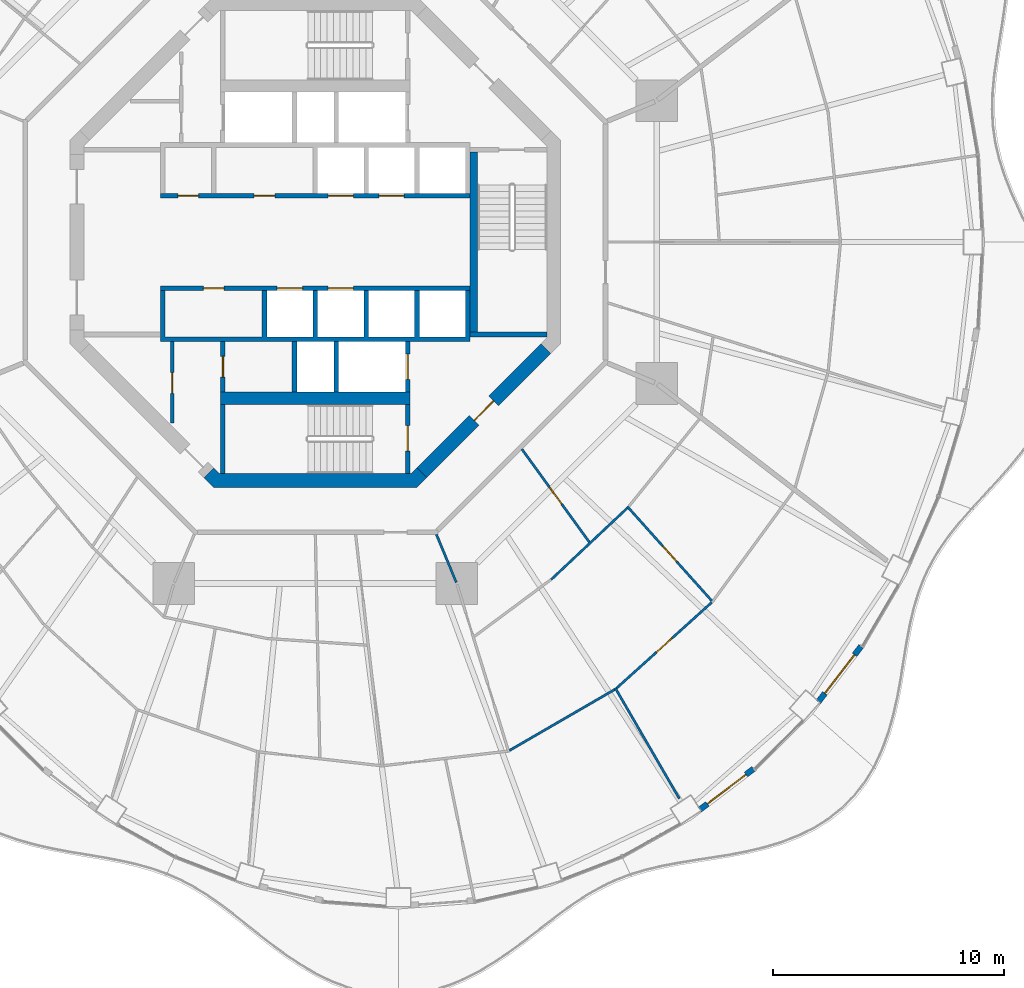
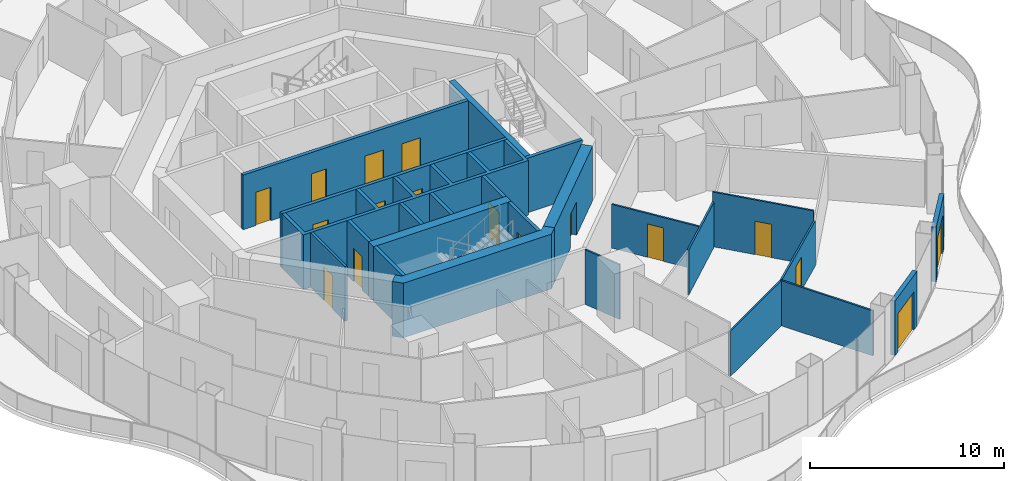
# One storey, part 12 of 19: 24 walls, 17 doors, 17 openings.
"""IFC4 building model written with IfcOpenShell, lengths in metres."""

from ifc_helpers import new_model, si_unit, direction, frame, frame_2d, origin, place, context, subcontext, project, spatial, polyline, rectangle, outline, extrude, material, layer, layer_set, type_object, element, fill, save


model = new_model("IFC4")

# Units and contexts
model_context = context("Model", 3, precision=1e-05, world=origin(), true_north=direction((0.0, 1.0)))
body_context = subcontext(model_context, "Body", "Model", "MODEL_VIEW")
ifc_project = project(units=[si_unit("LENGTHUNIT", "METRE"), si_unit("AREAUNIT", "SQUARE_METRE"), si_unit("VOLUMEUNIT", "CUBIC_METRE"), si_unit("PLANEANGLEUNIT", "RADIAN"), si_unit("MASSUNIT", "GRAM", prefix="KILO")], contexts=[model_context])

# Site, building, storey
site_placement = place(None, origin())
site = spatial("IfcSite", under=ifc_project, at=site_placement, CompositionType="ELEMENT")
building_placement = place(site_placement, origin())
building = spatial("IfcBuilding", under=site, at=building_placement, Name="Nagisa Residences", CompositionType="ELEMENT")
storey_placement = place(building_placement, frame((0.0, 0.0, 177.0)))
storey = spatial("IfcBuildingStorey", under=building, at=storey_placement, Name="L44", CompositionType="ELEMENT", Elevation=177.0)

# Walls
ifc_material_1 = material(Name="Gypsum board on steel studs", Category="steel")
ifc_layer_1 = layer(ifc_material_1, 0.10009765625)
ifc_layer_set_1 = layer_set([ifc_layer_1], Name="Apartment partition 100")
wall_type_1 = type_object("IfcWallType", Name="Apartment partition 100", PredefinedType="PARTITIONING", material=ifc_layer_set_1)
wall_1_placement = place(storey_placement, frame((5.24267578125, -12.6572265625, 0.0), z_axis=(0.0, 0.0, 1.0), x_axis=(0.382719158442, -0.923864733477, 0.0)))
element("IfcWall", 1, at=wall_1_placement, inside=storey, type_object=wall_type_1, Name="wall:L44:u77", PredefinedType="PARTITIONING", context=body_context, shape_type="SweptSolid", body=[
    extrude(rectangle(XDim=2.25, YDim=0.10009765625, at=frame_2d((1.125, 0.0))), origin(), (0.0, 0.0, 1.0), 3.43994140625),
])
wall_2_placement = place(storey_placement, frame((8.405029296875, -22.01318359375, 0.0), z_axis=(0.0, 0.0, 1.0), x_axis=(0.865277177388, 0.501293732547, 0.0)))
element("IfcWall", 2, at=wall_2_placement, inside=storey, type_object=wall_type_1, Name="wall:L44:u80", PredefinedType="PARTITIONING", context=body_context, shape_type="SweptSolid", body=[
    extrude(rectangle(XDim=5.27001953125, YDim=0.10009765625, at=frame_2d((2.635009765625, 0.0))), origin(), (0.0, 0.0, 1.0), 2.8369140625),
])
wall_3_placement = place(storey_placement, frame((10.21044921875, -14.614013671875, 0.0), z_axis=(0.0, 0.0, 1.0), x_axis=(0.728883199496, 0.684638066055, 0.0)))
element("IfcWall", 3, at=wall_3_placement, inside=storey, type_object=wall_type_1, Name="wall:L44:u81", PredefinedType="PARTITIONING", context=body_context, shape_type="SweptSolid", body=[
    extrude(rectangle(XDim=4.519287109375, YDim=0.10009765625, at=frame_2d((2.259765625, 0.0))), origin(), (0.0, 0.0, 1.0), 2.8369140625),
])
wall_4_placement = place(storey_placement, frame((12.983154296875, -19.302978515625, 0.0), z_axis=(0.0, 0.0, 1.0), x_axis=(0.501315846071, -0.865264365659, 0.0)))
element("IfcWall", 4, at=wall_4_placement, inside=storey, type_object=wall_type_1, Name="wall:L44:u82", PredefinedType="PARTITIONING", context=body_context, shape_type="SweptSolid", body=[
    extrude(rectangle(XDim=5.54150390625, YDim=0.10009765625, at=frame_2d((2.770751953125, 0.0))), origin(), (0.0, 0.0, 1.0), 2.8369140625),
])

# Wall, opening, door
wall_5_placement = place(storey_placement, frame((13.04541015625, -19.312744140625, 0.0), z_axis=(0.0, 0.0, 1.0), x_axis=(0.742790086539, 0.66952437397, 0.0)))
wall_5 = element("IfcWall", 5, at=wall_5_placement, inside=storey, type_object=wall_type_1, Name="wall:L44:u83", PredefinedType="PARTITIONING", context=body_context, shape_type="SweptSolid", body=[
    extrude(rectangle(XDim=5.54150390625, YDim=0.10009765625, at=frame_2d((2.770751953125, 0.0))), origin(), (0.0, 0.0, 1.0), 2.8369140625),
])
opening_1_placement = place(wall_5_placement, frame((2.32080078125, 0.0, 0.0)))
opening_1 = element("IfcOpeningElement", 6, at=opening_1_placement, cuts=wall_5, Name="Opening L44-U26", PredefinedType="OPENING", context=body_context, shape_type="SweptSolid", body=[
    extrude(rectangle(XDim=0.89990234375, YDim=2.10009765625, at=frame_2d((0.449951171875, 1.050048828125))), frame((0.0, 0.06005859375, 0.0), z_axis=(0.0, -1.0, 0.0), x_axis=(1.0, 0.0, 0.0)), (0.0, 0.0, 1.0), 0.1201171875),
])
ifc_material_2 = material(Name="Timber door set", Category="wood")
door_type_1 = type_object("IfcDoorType", Name="Apartment door 900x2100", OperationType="NOTDEFINED", PredefinedType="DOOR", material=ifc_material_2)
door_1_placement = place(opening_1_placement, frame((0.89990234375, 0.0, 0.0), x_axis=(-1.0, 0.0, 0.0)))
door_1 = element("IfcDoor", 7, at=door_1_placement, inside=storey, type_object=door_type_1, Name="Door to family room, Apartment 44B", OperationType="SINGLE_SWING_LEFT", OverallHeight=2.10009765625, OverallWidth=0.89990234375, PredefinedType="DOOR", context=body_context, shape_type="SweptSolid", body=[
    extrude(rectangle(XDim=0.89990234375, YDim=2.10009765625, at=frame_2d((0.449951171875, 1.050048828125))), frame((0.0, 0.02490234375, 0.0), z_axis=(0.0, -1.0, 0.0), x_axis=(1.0, 0.0, 0.0)), (0.0, 0.0, 1.0), 0.050048828125),
])
fill(opening_1, door_1)

wall_6_placement = place(storey_placement, frame((8.943359375, -8.965576171875, 0.0), z_axis=(0.0, 0.0, 1.0), x_axis=(0.587187896734, -0.809450661825, 0.0)))
wall_6 = element("IfcWall", 8, at=wall_6_placement, inside=storey, type_object=wall_type_1, Name="wall:L44:u84", PredefinedType="PARTITIONING", context=body_context, shape_type="SweptSolid", body=[
    extrude(rectangle(XDim=4.974853515625, YDim=0.10009765625, at=frame_2d((2.4873046875, 0.0))), origin(), (0.0, 0.0, 1.0), 2.756103515625),
])
opening_2_placement = place(wall_6_placement, frame((2.037353515625, 0.0, 0.0)))
opening_2 = element("IfcOpeningElement", 9, at=opening_2_placement, cuts=wall_6, Name="Opening L44-U20", PredefinedType="OPENING", context=body_context, shape_type="SweptSolid", body=[
    extrude(rectangle(XDim=0.89990234375, YDim=2.10009765625, at=frame_2d((0.449951171875, 1.050048828125))), frame((0.0, 0.06005859375, 0.0), z_axis=(0.0, -1.0, 0.0), x_axis=(1.0, 0.0, 0.0)), (0.0, 0.0, 1.0), 0.1201171875),
])
door_2_placement = place(opening_2_placement, origin())
door_2 = element("IfcDoor", 10, at=door_2_placement, inside=storey, type_object=door_type_1, Name="Door to store, Apartment 44B", OperationType="SINGLE_SWING_RIGHT", OverallHeight=2.10009765625, OverallWidth=0.89990234375, PredefinedType="DOOR", context=body_context, shape_type="SweptSolid", body=[
    extrude(rectangle(XDim=0.89990234375, YDim=2.10009765625, at=frame_2d((0.449951171875, 1.050048828125))), frame((0.0, 0.02490234375, 0.0), z_axis=(0.0, -1.0, 0.0), x_axis=(1.0, 0.0, 0.0)), (0.0, 0.0, 1.0), 0.050048828125),
])
fill(opening_2, door_2)

wall_7_placement = place(storey_placement, frame((13.50732421875, -11.44873046875, 0.0), z_axis=(0.0, 0.0, 1.0), x_axis=(0.667299792168, -0.744789223453, 0.0)))
wall_7 = element("IfcWall", 11, at=wall_7_placement, inside=storey, type_object=wall_type_1, Name="wall:L44:u85", PredefinedType="PARTITIONING", context=body_context, shape_type="SweptSolid", body=[
    extrude(rectangle(XDim=5.482177734375, YDim=0.10009765625, at=frame_2d((2.7412109375, 0.0))), origin(), (0.0, 0.0, 1.0), 3.43994140625),
])
opening_3_placement = place(wall_7_placement, frame((2.316162109375, 0.0, 0.0)))
opening_3 = element("IfcOpeningElement", 12, at=opening_3_placement, cuts=wall_7, Name="Opening L44-U23", PredefinedType="OPENING", context=body_context, shape_type="SweptSolid", body=[
    extrude(rectangle(XDim=0.89990234375, YDim=2.10009765625, at=frame_2d((0.449951171875, 1.050048828125))), frame((0.0, 0.06005859375, 0.0), z_axis=(0.0, -1.0, 0.0), x_axis=(1.0, 0.0, 0.0)), (0.0, 0.0, 1.0), 0.1201171875),
])
door_3_placement = place(opening_3_placement, origin())
door_3 = element("IfcDoor", 13, at=door_3_placement, inside=storey, type_object=door_type_1, Name="Door to kitchen, Apartment 44B", OperationType="SINGLE_SWING_LEFT", OverallHeight=2.10009765625, OverallWidth=0.89990234375, PredefinedType="DOOR", context=body_context, shape_type="SweptSolid", body=[
    extrude(rectangle(XDim=0.89990234375, YDim=2.10009765625, at=frame_2d((0.449951171875, 1.050048828125))), frame((0.0, 0.02490234375, 0.0), z_axis=(0.0, -1.0, 0.0), x_axis=(1.0, 0.0, 0.0)), (0.0, 0.0, 1.0), 0.050048828125),
])
fill(opening_3, door_3)

ifc_material_3 = material(Name="Precast concrete C40/50", Category="concrete")
ifc_layer_2 = layer(ifc_material_3, 0.25)
ifc_layer_set_2 = layer_set([ifc_layer_2], Name="BALCONY DOOR WALL 250")
wall_type_2 = type_object("IfcWallType", Name="BALCONY DOOR WALL 250", PredefinedType="SOLIDWALL", material=ifc_layer_set_2)
wall_8_placement = place(storey_placement, frame((18.9716796875, -22.80859375, 0.0), z_axis=(0.0, 0.0, 1.0), x_axis=(-0.796055733703, -0.60522332146, 0.0)))
wall_8 = element("IfcWall", 14, at=wall_8_placement, inside=storey, type_object=wall_type_2, Name="wall:L44:bay40", PredefinedType="SOLIDWALL", context=body_context, shape_type="SweptSolid", body=[
    extrude(rectangle(XDim=2.9169921875, YDim=0.25, at=frame_2d((1.45849609375, 0.0))), origin(), (0.0, 0.0, 1.0), 3.43994140625),
])
opening_4_placement = place(wall_8_placement, frame((0.408447265625, 0.0, 0.0)))
opening_4 = element("IfcOpeningElement", 15, at=opening_4_placement, cuts=wall_8, Name="Opening BD-L44-14", PredefinedType="OPENING", context=body_context, shape_type="SweptSolid", body=[
    extrude(rectangle(XDim=2.10009765625, YDim=2.39990234375, at=frame_2d((1.050048828125, 1.199951171875))), frame((0.0, 0.135009765625, 0.0), z_axis=(0.0, -1.0, 0.0), x_axis=(1.0, 0.0, 0.0)), (0.0, 0.0, 1.0), 0.27001953125),
])
ifc_material_4 = material(Name="Aluminium and clear glass", Category="aluminium")
door_type_2 = type_object("IfcDoorType", Name="BALCONY SLIDING DOOR 2100x2400", OperationType="SLIDING_TO_LEFT", PredefinedType="DOOR", material=ifc_material_4)
door_4_placement = place(opening_4_placement, origin())
door_4 = element("IfcDoor", 16, at=door_4_placement, inside=storey, type_object=door_type_2, Name="door:L44:bay40", OperationType="SLIDING_TO_LEFT", OverallHeight=2.39990234375, OverallWidth=2.10009765625, PredefinedType="DOOR", context=body_context, shape_type="SweptSolid", body=[
    extrude(rectangle(XDim=2.10009765625, YDim=2.39990234375, at=frame_2d((1.050048828125, 1.199951171875))), frame((0.0, 0.02490234375, 0.0), z_axis=(0.0, -1.0, 0.0), x_axis=(1.0, 0.0, 0.0)), (0.0, 0.0, 1.0), 0.050048828125),
])
fill(opening_4, door_4)

wall_9_placement = place(storey_placement, frame((23.63232421875, -17.501708984375, 0.0), z_axis=(0.0, 0.0, 1.0), x_axis=(-0.610437428894, -0.79206448311, 0.0)))
wall_9 = element("IfcWall", 17, at=wall_9_placement, inside=storey, type_object=wall_type_2, Name="wall:L44:bay42", PredefinedType="SOLIDWALL", context=body_context, shape_type="SweptSolid", body=[
    extrude(rectangle(XDim=3.03515625, YDim=0.25, at=frame_2d((1.517578125, 0.0))), origin(), (0.0, 0.0, 1.0), 3.43994140625),
])
opening_5_placement = place(wall_9_placement, frame((0.467529296875, 0.0, 0.0)))
opening_5 = element("IfcOpeningElement", 18, at=opening_5_placement, cuts=wall_9, Name="Opening BD-L44-15", PredefinedType="OPENING", context=body_context, shape_type="SweptSolid", body=[
    extrude(rectangle(XDim=2.10009765625, YDim=2.39990234375, at=frame_2d((1.050048828125, 1.199951171875))), frame((0.0, 0.135009765625, 0.0), z_axis=(0.0, -1.0, 0.0), x_axis=(1.0, 0.0, 0.0)), (0.0, 0.0, 1.0), 0.27001953125),
])
door_5_placement = place(opening_5_placement, origin())
door_5 = element("IfcDoor", 19, at=door_5_placement, inside=storey, type_object=door_type_2, Name="door:L44:bay42", OperationType="SLIDING_TO_LEFT", OverallHeight=2.39990234375, OverallWidth=2.10009765625, PredefinedType="DOOR", context=body_context, shape_type="SweptSolid", body=[
    extrude(rectangle(XDim=2.10009765625, YDim=2.39990234375, at=frame_2d((1.050048828125, 1.199951171875))), frame((0.0, 0.02490234375, 0.0), z_axis=(0.0, -1.0, 0.0), x_axis=(1.0, 0.0, 0.0)), (0.0, 0.0, 1.0), 0.050048828125),
])
fill(opening_5, door_5)

ifc_material_5 = material(Name="Gypsum board on steel studs", Category="steel")
ifc_layer_3 = layer(ifc_material_5, 0.14990234375)
ifc_layer_set_3 = layer_set([ifc_layer_3], Name="Core partition 150")
wall_type_3 = type_object("IfcWallType", Name="Core partition 150", PredefinedType="PARTITIONING", material=ifc_layer_set_3)
wall_10_placement = place(storey_placement, frame((-6.199951171875, -7.826904296875, 0.0), z_axis=(0.0, 0.0, 1.0), x_axis=(0.0, 1.0, 0.0)))
wall_10 = element("IfcWall", 20, at=wall_10_placement, inside=storey, type_object=wall_type_3, Name="wall:L44:SWp", PredefinedType="PARTITIONING", context=body_context, shape_type="SweptSolid", body=[
    extrude(rectangle(XDim=3.52685546875, YDim=0.14990234375, at=frame_2d((1.763427734375, 0.0))), origin(), (0.0, 0.0, 1.0), 3.43994140625),
])
opening_6_placement = place(wall_10_placement, frame((1.27587890625, 0.0, 0.0)))
opening_6 = element("IfcOpeningElement", 21, at=opening_6_placement, cuts=wall_10, Name="Opening L44-C13", PredefinedType="OPENING", context=body_context, shape_type="SweptSolid", body=[
    extrude(rectangle(XDim=0.89990234375, YDim=2.10009765625, at=frame_2d((0.449951171875, 1.050048828125))), frame((0.0, 0.0849609375, 0.0), z_axis=(0.0, -1.0, 0.0), x_axis=(1.0, 0.0, 0.0)), (0.0, 0.0, 1.0), 0.169921875),
])
ifc_material_6 = material(Name="Steel fire door", Category="steel")
door_type_3 = type_object("IfcDoorType", Name="Fire door EI30 900x2100 single swing", OperationType="NOTDEFINED", PredefinedType="DOOR", material=ifc_material_6)
door_6_placement = place(opening_6_placement, origin())
door_6 = element("IfcDoor", 22, at=door_6_placement, inside=storey, type_object=door_type_3, Name="Telecom room door L44", OperationType="SINGLE_SWING_LEFT", OverallHeight=2.10009765625, OverallWidth=0.89990234375, PredefinedType="DOOR", context=body_context, shape_type="SweptSolid", body=[
    extrude(rectangle(XDim=0.89990234375, YDim=2.10009765625, at=frame_2d((0.449951171875, 1.050048828125))), frame((0.0, 0.02490234375, 0.0), z_axis=(0.0, -1.0, 0.0), x_axis=(1.0, 0.0, 0.0)), (0.0, 0.0, 1.0), 0.050048828125),
])
fill(opening_6, door_6)

ifc_material_7 = material(Name="Concrete C60", Category="concrete")
ifc_layer_4 = layer(ifc_material_7, 0.60009765625)
ifc_layer_set_4 = layer_set([ifc_layer_4], Name="Core shear wall 600")
wall_type_4 = type_object("IfcWallType", Name="Core shear wall 600", PredefinedType="SHEAR", material=ifc_layer_set_4)
wall_11_placement = place(storey_placement, frame((4.613037109375, -9.98828125, 0.0), z_axis=(0.0, 0.0, 1.0), x_axis=(0.707106781187, 0.707106781187, 0.0)))
wall_11 = element("IfcWall", 23, at=wall_11_placement, inside=storey, type_object=wall_type_4, Name="wall:L44:core:flat7", PredefinedType="SHEAR", context=body_context, shape_type="SweptSolid", body=[
    extrude(rectangle(XDim=7.601806640625, YDim=0.60009765625, at=frame_2d((3.80078125, 0.0))), origin(), (0.0, 0.0, 1.0), 3.43994140625),
])
opening_7_placement = place(wall_11_placement, frame((3.200927734375, 0.0, 0.0)))
opening_7 = element("IfcOpeningElement", 24, at=opening_7_placement, cuts=wall_11, Name="Opening L44-C19", PredefinedType="OPENING", context=body_context, shape_type="SweptSolid", body=[
    extrude(rectangle(XDim=1.199951171875, YDim=2.10009765625, at=frame_2d((0.60009765625, 1.050048828125))), frame((0.0, 0.31005859375, 0.0), z_axis=(0.0, -1.0, 0.0), x_axis=(1.0, 0.0, 0.0)), (0.0, 0.0, 1.0), 0.6201171875),
])
ifc_material_8 = material(Name="Steel fire door", Category="steel")
door_type_4 = type_object("IfcDoorType", Name="Fire door EI60 1200x2100 single swing", OperationType="NOTDEFINED", PredefinedType="DOOR", material=ifc_material_8)
door_7_placement = place(opening_7_placement, origin())
door_7 = element("IfcDoor", 25, at=door_7_placement, inside=storey, type_object=door_type_4, Name="Firefighting lobby 2 door L44", OperationType="SINGLE_SWING_LEFT", OverallHeight=2.10009765625, OverallWidth=1.199951171875, PredefinedType="DOOR", context=body_context, shape_type="SweptSolid", body=[
    extrude(rectangle(XDim=1.199951171875, YDim=2.10009765625, at=frame_2d((0.60009765625, 1.050048828125))), frame((0.0, 0.02490234375, 0.0), z_axis=(0.0, -1.0, 0.0), x_axis=(1.0, 0.0, 0.0)), (0.0, 0.0, 1.0), 0.050048828125),
])
fill(opening_7, door_7)

# Wall
wall_12_placement = place(storey_placement, origin())
element("IfcWall", 26, at=wall_12_placement, inside=storey, type_object=wall_type_4, Name="wall:L44:core:flat6", PredefinedType="SHEAR", context=body_context, shape_type="SweptSolid", body=[
    extrude(outline(polyline([(-4.15234375, -10.024658203125), (4.15234375, -10.024658203125), (4.40087890625, -9.776123046875), (4.8251953125, -10.200439453125), (4.40087890625, -10.62451171875), (-4.40087890625, -10.62451171875), (-4.8251953125, -10.200439453125), (-4.40087890625, -9.776123046875), (-4.15234375, -10.024658203125)])), origin(), (0.0, 0.0, 1.0), 3.43994140625),
])

# Wall, openings, doors
ifc_material_9 = material(Name="Concrete C60", Category="concrete")
ifc_layer_5 = layer(ifc_material_9, 0.199951171875)
ifc_layer_set_5 = layer_set([ifc_layer_5], Name="Lift shaft wall 200")
wall_type_5 = type_object("IfcWallType", Name="Lift shaft wall 200", PredefinedType="SOLIDWALL", material=ifc_layer_set_5)
wall_13_placement = place(storey_placement, frame((-6.699951171875, 2.0, 0.0), z_axis=(0.0, 0.0, 1.0), x_axis=(1.0, 0.0, 0.0)))
wall_13 = element("IfcWall", 27, at=wall_13_placement, inside=storey, type_object=wall_type_5, Name="wall:L44:Nfront", PredefinedType="SOLIDWALL", context=body_context, shape_type="SweptSolid", body=[
    extrude(rectangle(XDim=13.39990234375, YDim=0.199951171875, at=frame_2d((6.699951171875, 0.0))), origin(), (0.0, 0.0, 1.0), 3.43994140625),
])
opening_8_placement = place(wall_13_placement, frame((7.25, 0.0, 0.0)))
opening_8 = element("IfcOpeningElement", 28, at=opening_8_placement, cuts=wall_13, Name="Opening L44-C01", PredefinedType="OPENING", context=body_context, shape_type="SweptSolid", body=[
    extrude(rectangle(XDim=1.10009765625, YDim=2.10009765625, at=frame_2d((0.550048828125, 1.050048828125))), frame((0.0, 0.10986328125, 0.0), z_axis=(0.0, -1.0, 0.0), x_axis=(1.0, 0.0, 0.0)), (0.0, 0.0, 1.0), 0.219970703125),
])
opening_9_placement = place(wall_13_placement, frame((9.449951171875, 0.0, 0.0)))
opening_9 = element("IfcOpeningElement", 29, at=opening_9_placement, cuts=wall_13, Name="Opening L44-C02", PredefinedType="OPENING", context=body_context, shape_type="SweptSolid", body=[
    extrude(rectangle(XDim=1.10009765625, YDim=2.10009765625, at=frame_2d((0.550048828125, 1.050048828125))), frame((0.0, 0.10986328125, 0.0), z_axis=(0.0, -1.0, 0.0), x_axis=(1.0, 0.0, 0.0)), (0.0, 0.0, 1.0), 0.219970703125),
])
opening_10_placement = place(wall_13_placement, frame((0.75, 0.0, 0.0)))
opening_10 = element("IfcOpeningElement", 30, at=opening_10_placement, cuts=wall_13, Name="Opening L44-C15", PredefinedType="OPENING", context=body_context, shape_type="SweptSolid", body=[
    extrude(rectangle(XDim=0.89990234375, YDim=2.10009765625, at=frame_2d((0.449951171875, 1.050048828125))), frame((0.0, 0.10986328125, 0.0), z_axis=(0.0, -1.0, 0.0), x_axis=(1.0, 0.0, 0.0)), (0.0, 0.0, 1.0), 0.219970703125),
])
opening_11_placement = place(wall_13_placement, frame((4.050048828125, 0.0, 0.0)))
opening_11 = element("IfcOpeningElement", 31, at=opening_11_placement, cuts=wall_13, Name="Opening L44-C16", PredefinedType="OPENING", context=body_context, shape_type="SweptSolid", body=[
    extrude(rectangle(XDim=0.89990234375, YDim=2.10009765625, at=frame_2d((0.449951171875, 1.050048828125))), frame((0.0, 0.10986328125, 0.0), z_axis=(0.0, -1.0, 0.0), x_axis=(1.0, 0.0, 0.0)), (0.0, 0.0, 1.0), 0.219970703125),
])
door_8_placement = place(opening_10_placement, origin())
door_8 = element("IfcDoor", 32, at=door_8_placement, inside=storey, type_object=door_type_3, Name="Stationery store door L44", OperationType="SINGLE_SWING_RIGHT", OverallHeight=2.10009765625, OverallWidth=0.89990234375, PredefinedType="DOOR", context=body_context, shape_type="SweptSolid", body=[
    extrude(rectangle(XDim=0.89990234375, YDim=2.10009765625, at=frame_2d((0.449951171875, 1.050048828125))), frame((0.0, 0.02490234375, 0.0), z_axis=(0.0, -1.0, 0.0), x_axis=(1.0, 0.0, 0.0)), (0.0, 0.0, 1.0), 0.050048828125),
])
fill(opening_10, door_8)
door_9_placement = place(opening_11_placement, origin())
door_9 = element("IfcDoor", 33, at=door_9_placement, inside=storey, type_object=door_type_3, Name="Wine store door L44", OperationType="SINGLE_SWING_RIGHT", OverallHeight=2.10009765625, OverallWidth=0.89990234375, PredefinedType="DOOR", context=body_context, shape_type="SweptSolid", body=[
    extrude(rectangle(XDim=0.89990234375, YDim=2.10009765625, at=frame_2d((0.449951171875, 1.050048828125))), frame((0.0, 0.02490234375, 0.0), z_axis=(0.0, -1.0, 0.0), x_axis=(1.0, 0.0, 0.0)), (0.0, 0.0, 1.0), 0.050048828125),
])
fill(opening_11, door_9)
ifc_material_10 = material(Name="Stainless steel", Category="steel")
door_type_5 = type_object("IfcDoorType", Name="Lift landing door 1100x2100", OperationType="DOUBLE_DOOR_SLIDING", PredefinedType="DOOR", material=ifc_material_10)
door_10_placement = place(opening_8_placement, origin())
door_10 = element("IfcDoor", 34, at=door_10_placement, inside=storey, type_object=door_type_5, Name="Landing door B1 L44", OperationType="DOUBLE_DOOR_SLIDING", OverallHeight=2.10009765625, OverallWidth=1.10009765625, PredefinedType="DOOR", context=body_context, shape_type="SweptSolid", body=[
    extrude(rectangle(XDim=1.10009765625, YDim=2.10009765625, at=frame_2d((0.550048828125, 1.050048828125))), frame((0.0, 0.02490234375, 0.0), z_axis=(0.0, -1.0, 0.0), x_axis=(1.0, 0.0, 0.0)), (0.0, 0.0, 1.0), 0.050048828125),
])
fill(opening_8, door_10)
door_11_placement = place(opening_9_placement, origin())
door_11 = element("IfcDoor", 35, at=door_11_placement, inside=storey, type_object=door_type_5, Name="Landing door B2 L44", OperationType="DOUBLE_DOOR_SLIDING", OverallHeight=2.10009765625, OverallWidth=1.10009765625, PredefinedType="DOOR", context=body_context, shape_type="SweptSolid", body=[
    extrude(rectangle(XDim=1.10009765625, YDim=2.10009765625, at=frame_2d((0.550048828125, 1.050048828125))), frame((0.0, 0.02490234375, 0.0), z_axis=(0.0, -1.0, 0.0), x_axis=(1.0, 0.0, 0.0)), (0.0, 0.0, 1.0), 0.050048828125),
])
fill(opening_9, door_11)

# Wall, opening, door
wall_14_placement = place(storey_placement, frame((4.0, -6.5, 0.0), z_axis=(0.0, 0.0, 1.0), x_axis=(0.0, 1.0, 0.0)))
wall_14 = element("IfcWall", 36, at=wall_14_placement, inside=storey, type_object=wall_type_5, Name="wall:L44:Sb3", PredefinedType="SOLIDWALL", context=body_context, shape_type="SweptSolid", body=[
    extrude(rectangle(XDim=2.199951171875, YDim=0.199951171875, at=frame_2d((1.10009765625, 0.0))), origin(), (0.0, 0.0, 1.0), 3.43994140625),
])
opening_12_placement = place(wall_14_placement, frame((0.550048828125, 0.0, 0.0)))
opening_12 = element("IfcOpeningElement", 37, at=opening_12_placement, cuts=wall_14, Name="Opening L44-C06", PredefinedType="OPENING", context=body_context, shape_type="SweptSolid", body=[
    extrude(rectangle(XDim=1.10009765625, YDim=2.10009765625, at=frame_2d((0.550048828125, 1.050048828125))), frame((0.0, 0.10986328125, 0.0), z_axis=(0.0, -1.0, 0.0), x_axis=(1.0, 0.0, 0.0)), (0.0, 0.0, 1.0), 0.219970703125),
])
door_12_placement = place(opening_12_placement, origin())
door_12 = element("IfcDoor", 38, at=door_12_placement, inside=storey, type_object=door_type_5, Name="Landing door FL2 L44", OperationType="DOUBLE_DOOR_SLIDING", OverallHeight=2.10009765625, OverallWidth=1.10009765625, PredefinedType="DOOR", context=body_context, shape_type="SweptSolid", body=[
    extrude(rectangle(XDim=1.10009765625, YDim=2.10009765625, at=frame_2d((0.550048828125, 1.050048828125))), frame((0.0, 0.02490234375, 0.0), z_axis=(0.0, -1.0, 0.0), x_axis=(1.0, 0.0, 0.0)), (0.0, 0.0, 1.0), 0.050048828125),
])
fill(opening_12, door_12)

wall_15_placement = place(storey_placement, frame((-4.0, -6.5, 0.0), z_axis=(0.0, 0.0, 1.0), x_axis=(0.0, 1.0, 0.0)))
wall_15 = element("IfcWall", 39, at=wall_15_placement, inside=storey, type_object=wall_type_5, Name="wall:L44:Sb4", PredefinedType="SOLIDWALL", context=body_context, shape_type="SweptSolid", body=[
    extrude(rectangle(XDim=2.199951171875, YDim=0.199951171875, at=frame_2d((1.10009765625, 0.0))), origin(), (0.0, 0.0, 1.0), 3.43994140625),
])
opening_13_placement = place(wall_15_placement, frame((0.64990234375, 0.0, 0.0)))
opening_13 = element("IfcOpeningElement", 40, at=opening_13_placement, cuts=wall_15, Name="Opening L44-C14", PredefinedType="OPENING", context=body_context, shape_type="SweptSolid", body=[
    extrude(rectangle(XDim=0.89990234375, YDim=2.10009765625, at=frame_2d((0.449951171875, 1.050048828125))), frame((0.0, 0.10986328125, 0.0), z_axis=(0.0, -1.0, 0.0), x_axis=(1.0, 0.0, 0.0)), (0.0, 0.0, 1.0), 0.219970703125),
])
door_13_placement = place(opening_13_placement, frame((0.89990234375, 0.0, 0.0), x_axis=(-1.0, 0.0, 0.0)))
door_13 = element("IfcDoor", 41, at=door_13_placement, inside=storey, type_object=door_type_3, Name="Refuse room door L44", OperationType="SINGLE_SWING_LEFT", OverallHeight=2.10009765625, OverallWidth=0.89990234375, PredefinedType="DOOR", context=body_context, shape_type="SweptSolid", body=[
    extrude(rectangle(XDim=0.89990234375, YDim=2.10009765625, at=frame_2d((0.449951171875, 1.050048828125))), frame((0.0, 0.02490234375, 0.0), z_axis=(0.0, -1.0, 0.0), x_axis=(1.0, 0.0, 0.0)), (0.0, 0.0, 1.0), 0.050048828125),
])
fill(opening_13, door_13)

# Wall, openings, doors
wall_16_placement = place(storey_placement, frame((-6.699951171875, -2.0, 0.0), z_axis=(0.0, 0.0, 1.0), x_axis=(1.0, 0.0, 0.0)))
wall_16 = element("IfcWall", 42, at=wall_16_placement, inside=storey, type_object=wall_type_5, Name="wall:L44:Sfront", PredefinedType="SOLIDWALL", context=body_context, shape_type="SweptSolid", body=[
    extrude(rectangle(XDim=13.39990234375, YDim=0.199951171875, at=frame_2d((6.699951171875, 0.0))), origin(), (0.0, 0.0, 1.0), 3.43994140625),
])
opening_14_placement = place(wall_16_placement, frame((5.050048828125, 0.0, 0.0)))
opening_14 = element("IfcOpeningElement", 43, at=opening_14_placement, cuts=wall_16, Name="Opening L44-C03", PredefinedType="OPENING", context=body_context, shape_type="SweptSolid", body=[
    extrude(rectangle(XDim=1.10009765625, YDim=2.10009765625, at=frame_2d((0.550048828125, 1.050048828125))), frame((0.0, 0.10986328125, 0.0), z_axis=(0.0, -1.0, 0.0), x_axis=(1.0, 0.0, 0.0)), (0.0, 0.0, 1.0), 0.219970703125),
])
opening_15_placement = place(wall_16_placement, frame((7.25, 0.0, 0.0)))
opening_15 = element("IfcOpeningElement", 44, at=opening_15_placement, cuts=wall_16, Name="Opening L44-C04", PredefinedType="OPENING", context=body_context, shape_type="SweptSolid", body=[
    extrude(rectangle(XDim=1.10009765625, YDim=2.10009765625, at=frame_2d((0.550048828125, 1.050048828125))), frame((0.0, 0.10986328125, 0.0), z_axis=(0.0, -1.0, 0.0), x_axis=(1.0, 0.0, 0.0)), (0.0, 0.0, 1.0), 0.219970703125),
])
opening_16_placement = place(wall_16_placement, frame((1.85009765625, 0.0, 0.0)))
opening_16 = element("IfcOpeningElement", 45, at=opening_16_placement, cuts=wall_16, Name="Opening L44-C17", PredefinedType="OPENING", context=body_context, shape_type="SweptSolid", body=[
    extrude(rectangle(XDim=0.89990234375, YDim=2.10009765625, at=frame_2d((0.449951171875, 1.050048828125))), frame((0.0, 0.10986328125, 0.0), z_axis=(0.0, -1.0, 0.0), x_axis=(1.0, 0.0, 0.0)), (0.0, 0.0, 1.0), 0.219970703125),
])
door_14_placement = place(opening_16_placement, frame((0.89990234375, 0.0, 0.0), x_axis=(-1.0, 0.0, 0.0)))
door_14 = element("IfcDoor", 46, at=door_14_placement, inside=storey, type_object=door_type_3, Name="Package room door L44", OperationType="SINGLE_SWING_LEFT", OverallHeight=2.10009765625, OverallWidth=0.89990234375, PredefinedType="DOOR", context=body_context, shape_type="SweptSolid", body=[
    extrude(rectangle(XDim=0.89990234375, YDim=2.10009765625, at=frame_2d((0.449951171875, 1.050048828125))), frame((0.0, 0.02490234375, 0.0), z_axis=(0.0, -1.0, 0.0), x_axis=(1.0, 0.0, 0.0)), (0.0, 0.0, 1.0), 0.050048828125),
])
fill(opening_16, door_14)
door_15_placement = place(opening_14_placement, origin())
door_15 = element("IfcDoor", 47, at=door_15_placement, inside=storey, type_object=door_type_5, Name="Landing door B3 L44", OperationType="DOUBLE_DOOR_SLIDING", OverallHeight=2.10009765625, OverallWidth=1.10009765625, PredefinedType="DOOR", context=body_context, shape_type="SweptSolid", body=[
    extrude(rectangle(XDim=1.10009765625, YDim=2.10009765625, at=frame_2d((0.550048828125, 1.050048828125))), frame((0.0, 0.02490234375, 0.0), z_axis=(0.0, -1.0, 0.0), x_axis=(1.0, 0.0, 0.0)), (0.0, 0.0, 1.0), 0.050048828125),
])
fill(opening_14, door_15)
door_16_placement = place(opening_15_placement, origin())
door_16 = element("IfcDoor", 48, at=door_16_placement, inside=storey, type_object=door_type_5, Name="Landing door B4 L44", OperationType="DOUBLE_DOOR_SLIDING", OverallHeight=2.10009765625, OverallWidth=1.10009765625, PredefinedType="DOOR", context=body_context, shape_type="SweptSolid", body=[
    extrude(rectangle(XDim=1.10009765625, YDim=2.10009765625, at=frame_2d((0.550048828125, 1.050048828125))), frame((0.0, 0.02490234375, 0.0), z_axis=(0.0, -1.0, 0.0), x_axis=(1.0, 0.0, 0.0)), (0.0, 0.0, 1.0), 0.050048828125),
])
fill(opening_15, door_16)

# Walls
for number, where, z_axis, x_axis, name in (
    (49, (-0.89990234375, -6.5, 0.0), (0.0, 0.0, 1.0), (0.0, 1.0, 0.0), "wall:L44:Sb1"),
    (50, (0.89990234375, -6.5, 0.0), (0.0, 0.0, 1.0), (0.0, 1.0, 0.0), "wall:L44:Sb2"),
):
    element("IfcWall", number, at=place(storey_placement, frame(where, z_axis=z_axis, x_axis=x_axis)), inside=storey, type_object=wall_type_5, Name=name, PredefinedType="SOLIDWALL", context=body_context, shape_type="SweptSolid", body=[
        extrude(rectangle(XDim=2.199951171875, YDim=0.199951171875, at=frame_2d((1.10009765625, 0.0))), origin(), (0.0, 0.0, 1.0), 3.43994140625),
    ])
wall_17_placement = place(storey_placement, origin())
element("IfcWall", 51, at=wall_17_placement, inside=storey, type_object=wall_type_5, Name="wall:L44:Sback", PredefinedType="SOLIDWALL", context=body_context, shape_type="SweptSolid", body=[
    extrude(outline(polyline([(-6.699951171875, -2.10009765625), (-6.5, -2.10009765625), (-6.5, -4.10009765625), (-2.300048828125, -4.10009765625), (-2.300048828125, -2.10009765625), (-2.10009765625, -2.10009765625), (-2.10009765625, -4.10009765625), (-0.10009765625, -4.10009765625), (-0.10009765625, -2.10009765625), (0.10009765625, -2.10009765625), (0.10009765625, -4.10009765625), (2.10009765625, -4.10009765625), (2.10009765625, -2.10009765625), (2.300048828125, -2.10009765625), (2.300048828125, -4.10009765625), (4.300048828125, -4.10009765625), (4.300048828125, -2.10009765625), (4.5, -2.10009765625), (4.5, -4.10009765625), (6.5, -4.10009765625), (6.5, -2.10009765625), (6.699951171875, -2.10009765625), (6.699951171875, -4.300048828125), (-6.699951171875, -4.300048828125), (-6.699951171875, -2.10009765625)])), origin(), (0.0, 0.0, 1.0), 3.43994140625),
])

# Wall, opening, door
ifc_material_11 = material(Name="Concrete C60", Category="concrete")
ifc_layer_6 = layer(ifc_material_11, 0.199951171875)
ifc_layer_set_6 = layer_set([ifc_layer_6], Name="Stair enclosure wall 200")
wall_type_6 = type_object("IfcWallType", Name="Stair enclosure wall 200", PredefinedType="SOLIDWALL", material=ifc_layer_set_6)
wall_18_placement = place(storey_placement, frame((4.0, -10.024658203125, 0.0), z_axis=(0.0, 0.0, 1.0), x_axis=(0.0, 1.0, 0.0)))
wall_18 = element("IfcWall", 52, at=wall_18_placement, inside=storey, type_object=wall_type_6, Name="wall:L44:SS_e", PredefinedType="SOLIDWALL", context=body_context, shape_type="SweptSolid", body=[
    extrude(rectangle(XDim=3.0, YDim=0.199951171875, at=frame_2d((1.5, 0.0))), origin(), (0.0, 0.0, 1.0), 3.43994140625),
])
opening_17_placement = place(wall_18_placement, frame((0.974609375, 0.0, 0.0)))
opening_17 = element("IfcOpeningElement", 53, at=opening_17_placement, cuts=wall_18, Name="Opening L44-C10", PredefinedType="OPENING", context=body_context, shape_type="SweptSolid", body=[
    extrude(rectangle(XDim=1.10009765625, YDim=2.10009765625, at=frame_2d((0.550048828125, 1.050048828125))), frame((0.0, 0.10986328125, 0.0), z_axis=(0.0, -1.0, 0.0), x_axis=(1.0, 0.0, 0.0)), (0.0, 0.0, 1.0), 0.219970703125),
])
ifc_material_12 = material(Name="Steel fire door", Category="steel")
door_type_6 = type_object("IfcDoorType", Name="Fire door EI90 1100x2100 single swing", OperationType="NOTDEFINED", PredefinedType="DOOR", material=ifc_material_12)
door_17_placement = place(opening_17_placement, origin())
door_17 = element("IfcDoor", 54, at=door_17_placement, inside=storey, type_object=door_type_6, Name="Stair door ST-S L44", OperationType="SINGLE_SWING_LEFT", OverallHeight=2.10009765625, OverallWidth=1.10009765625, PredefinedType="DOOR", context=body_context, shape_type="SweptSolid", body=[
    extrude(rectangle(XDim=1.10009765625, YDim=2.10009765625, at=frame_2d((0.550048828125, 1.050048828125))), frame((0.0, 0.02490234375, 0.0), z_axis=(0.0, -1.0, 0.0), x_axis=(1.0, 0.0, 0.0)), (0.0, 0.0, 1.0), 0.050048828125),
])
fill(opening_17, door_17)

# Walls
wall_19_placement = place(storey_placement, origin())
element("IfcWall", 55, at=wall_19_placement, inside=storey, type_object=wall_type_6, Name="wall:L44:SS_w", PredefinedType="SOLIDWALL", context=body_context, shape_type="SweptSolid", body=[
    extrude(outline(polyline([(-3.89990234375, -10.024658203125), (-4.10009765625, -10.024658203125), (-4.10009765625, -7.024658203125), (-3.89990234375, -7.024658203125), (-3.89990234375, -10.024658203125)])), origin(), (0.0, 0.0, 1.0), 3.43994140625),
])
wall_20_placement = place(storey_placement, origin())
element("IfcWall", 56, at=wall_20_placement, inside=storey, type_object=wall_type_6, Name="wall:L44:SS_n", PredefinedType="SOLIDWALL", context=body_context, shape_type="SweptSolid", body=[
    extrude(outline(polyline([(4.10009765625, -7.024658203125), (-4.10009765625, -7.024658203125), (-4.10009765625, -6.5), (4.10009765625, -6.5), (4.10009765625, -7.024658203125)])), origin(), (0.0, 0.0, 1.0), 3.43994140625),
])
wall_21_placement = place(storey_placement, origin())
element("IfcWall", 57, at=wall_21_placement, inside=storey, type_object=wall_type_6, Name="wall:L44:SE_w", PredefinedType="SOLIDWALL", context=body_context, shape_type="SweptSolid", body=[
    extrude(outline(polyline([(7.024658203125, -3.89990234375), (6.699951171875, -3.89990234375), (6.699951171875, 3.89990234375), (7.024658203125, 3.89990234375), (7.024658203125, -3.89990234375)])), origin(), (0.0, 0.0, 1.0), 3.43994140625),
])
wall_22_placement = place(storey_placement, origin())
element("IfcWall", 58, at=wall_22_placement, inside=storey, type_object=wall_type_6, Name="wall:L44:SE_s", PredefinedType="SOLIDWALL", context=body_context, shape_type="SweptSolid", body=[
    extrude(outline(polyline([(10.024658203125, -4.10009765625), (6.699951171875, -4.10009765625), (6.699951171875, -3.89990234375), (10.024658203125, -3.89990234375), (10.024658203125, -4.10009765625)])), origin(), (0.0, 0.0, 1.0), 3.43994140625),
])

save(model, "model.ifc")
